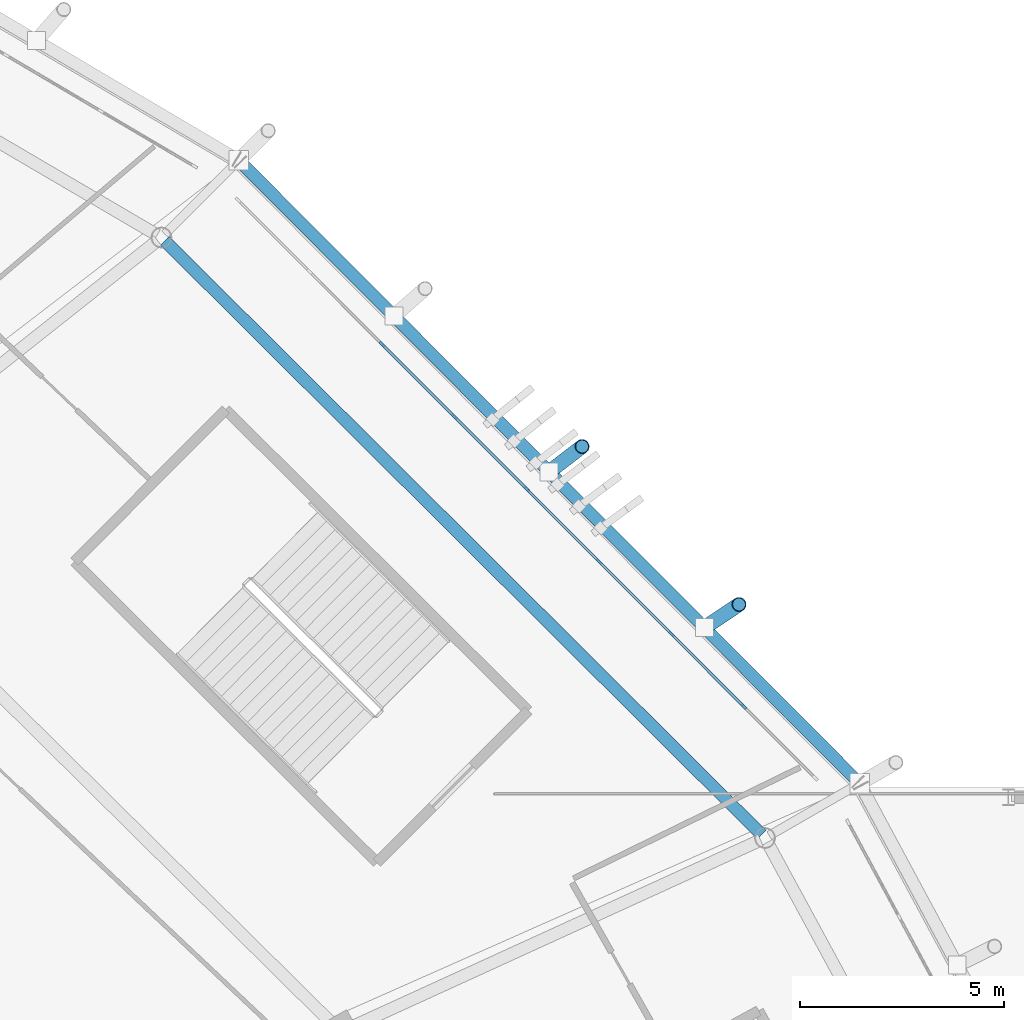
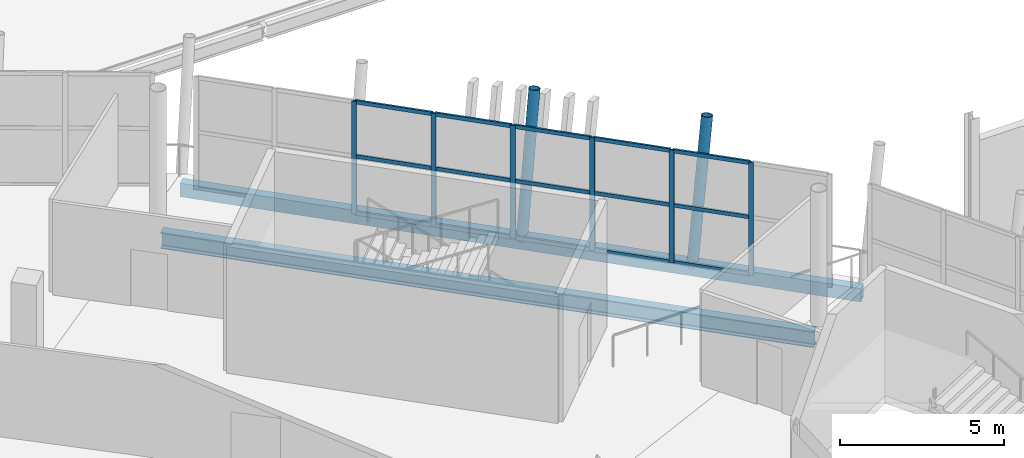
# One storey, part 64 of 179: 23 members, 2 beams, 1 element without a shape of its own.
"""IFC4 building model written with IfcOpenShell, lengths in metres."""

from ifc_helpers import new_model, si_unit, direction, frame, origin, origin_2d, place, context, subcontext, project, spatial, rectangle, hollow_rectangle, hollow_circle, i_section, extrude, material, material_profile, profile_set, type_object, element, aggregate, save


model = new_model("IFC4")

# Units and contexts
model_context = context("Model", 3, precision=1e-05, world=origin(), true_north=direction((0.0, 1.0)))
body_context = subcontext(model_context, "Body", "Model", "MODEL_VIEW")
ifc_project = project(units=[si_unit("LENGTHUNIT", "METRE"), si_unit("AREAUNIT", "SQUARE_METRE"), si_unit("VOLUMEUNIT", "CUBIC_METRE"), si_unit("PLANEANGLEUNIT", "RADIAN"), si_unit("MASSUNIT", "GRAM", prefix="KILO")], contexts=[model_context])

# Site, building, storey
site_placement = place(None, origin())
site = spatial("IfcSite", under=ifc_project, at=site_placement, CompositionType="ELEMENT")
building_placement = place(site_placement, origin())
building = spatial("IfcBuilding", under=site, at=building_placement, Name="Zlatoyarsky Gate Stadium", CompositionType="ELEMENT")
storey_placement = place(building_placement, frame((0.0, 0.0, 10.60009765625)))
storey = spatial("IfcBuildingStorey", under=building, at=storey_placement, Name="L02", CompositionType="ELEMENT", Elevation=10.60009765625)

# Curtain wall, members
ifc_material_1 = material(Name="Thermally broken anodised aluminium curtain wall", Category="aluminium")
curtain_wall_type = type_object("IfcCurtainWallType", Name="UNITISED HOSPITALITY GLAZING L02", PredefinedType="USERDEFINED", material=ifc_material_1)
curtain_wall_placement = place(storey_placement, origin())
curtain_wall = element("IfcCurtainWall", 1, at=curtain_wall_placement, inside=storey, type_object=curtain_wall_type, Name="Curtain wall CW-L02-02", ObjectType="UNITISED GLAZING", PredefinedType="USERDEFINED")
ifc_material_2 = material(Name="Anodised aluminium 6063-T6", Category="aluminium")
ifc_material_profile_1 = material_profile(ifc_material_2, rectangle(XDim=0.06494140625, YDim=0.159912109375, at=origin_2d()), Name="ALU 65X160")
ifc_profile_set_1 = profile_set([ifc_material_profile_1], Name="Anodised aluminium 6063-T6")
member_type_1 = type_object("IfcMemberType", Name="ALUMINIUM MULLION 65X160", PredefinedType="MULLION", material=ifc_profile_set_1)
member_1_placement = place(storey_placement, frame((191.020263671875, 118.72216796875, 0.0), z_axis=(0.0, 0.0, 1.0), x_axis=(-0.707587678066, -0.706625557031, 0.0)))
member_1 = element("IfcMember", 2, at=member_1_placement, type_object=member_type_1, Name="CW-UG2 mullion 2", PredefinedType="MULLION", context=body_context, shape_type="SweptSolid", body=[
    extrude(rectangle(XDim=0.06494140625, YDim=0.159912109375, at=origin_2d()), origin(), (0.0, 0.0, 1.0), 4.199951171875),
])
member_2_placement = place(storey_placement, frame((189.24853515625, 120.496337890625, 0.0), z_axis=(0.0, 0.0, 1.0), x_axis=(-0.707587678066, -0.706625557031, 0.0)))
member_2 = element("IfcMember", 3, at=member_2_placement, type_object=member_type_1, Name="CW-UG2 mullion 3", PredefinedType="MULLION", context=body_context, shape_type="SweptSolid", body=[
    extrude(rectangle(XDim=0.06494140625, YDim=0.159912109375, at=origin_2d()), origin(), (0.0, 0.0, 1.0), 4.199951171875),
])
member_3_placement = place(storey_placement, frame((187.4765625, 122.2705078125, 0.0), z_axis=(0.0, 0.0, 1.0), x_axis=(-0.707587678066, -0.706625557031, 0.0)))
member_3 = element("IfcMember", 4, at=member_3_placement, type_object=member_type_1, Name="CW-UG2 mullion 4", PredefinedType="MULLION", context=body_context, shape_type="SweptSolid", body=[
    extrude(rectangle(XDim=0.06494140625, YDim=0.159912109375, at=origin_2d()), origin(), (0.0, 0.0, 1.0), 4.199951171875),
])
member_4_placement = place(storey_placement, frame((185.704833984375, 124.044921875, 0.0), z_axis=(0.0, 0.0, 1.0), x_axis=(-0.707587678066, -0.706625557031, 0.0)))
member_4 = element("IfcMember", 5, at=member_4_placement, type_object=member_type_1, Name="CW-UG2 mullion 5", PredefinedType="MULLION", context=body_context, shape_type="SweptSolid", body=[
    extrude(rectangle(XDim=0.06494140625, YDim=0.159912109375, at=origin_2d()), origin(), (0.0, 0.0, 1.0), 4.199951171875),
])
member_5_placement = place(storey_placement, frame((183.932861328125, 125.819091796875, 0.0), z_axis=(0.0, 0.0, 1.0), x_axis=(-0.707587678066, -0.706625557031, 0.0)))
member_5 = element("IfcMember", 6, at=member_5_placement, type_object=member_type_1, Name="CW-UG2 mullion 6", PredefinedType="MULLION", context=body_context, shape_type="SweptSolid", body=[
    extrude(rectangle(XDim=0.06494140625, YDim=0.159912109375, at=origin_2d()), origin(), (0.0, 0.0, 1.0), 4.199951171875),
])
member_6_placement = place(storey_placement, frame((182.1611328125, 127.59326171875, 0.0), z_axis=(0.0, 0.0, 1.0), x_axis=(-0.707587678066, -0.706625557031, 0.0)))
member_6 = element("IfcMember", 7, at=member_6_placement, type_object=member_type_1, Name="CW-UG2 mullion 7", PredefinedType="MULLION", context=body_context, shape_type="SweptSolid", body=[
    extrude(rectangle(XDim=0.06494140625, YDim=0.159912109375, at=origin_2d()), origin(), (0.0, 0.0, 1.0), 4.199951171875),
])
ifc_material_profile_2 = material_profile(ifc_material_2, rectangle(XDim=0.06494140625, YDim=0.139892578125, at=origin_2d()), Name="ALU 65X140")
ifc_profile_set_2 = profile_set([ifc_material_profile_2], Name="Anodised aluminium 6063-T6")
member_type_2 = type_object("IfcMemberType", Name="ALUMINIUM TRANSOM 65X140", PredefinedType="USERDEFINED", material=ifc_profile_set_2)
member_7_placement = place(storey_placement, frame((190.997314453125, 118.7451171875, 0.032470703125), z_axis=(-0.706606811932, 0.707606397181, 0.0), x_axis=(-0.707606397181, -0.706606811932, 0.0)))
member_7 = element("IfcMember", 8, at=member_7_placement, type_object=member_type_2, Name="CW-UG2 transom 2.1", ObjectType="TRANSOM", PredefinedType="USERDEFINED", context=body_context, shape_type="SweptSolid", body=[
    extrude(rectangle(XDim=0.06494140625, YDim=0.139892578125, at=origin_2d()), origin(), (0.0, 0.0, 1.0), 2.4423828125),
])
member_8_placement = place(storey_placement, frame((190.997314453125, 118.7451171875, 2.14990234375), z_axis=(-0.706606811932, 0.707606397181, 0.0), x_axis=(-0.707606397181, -0.706606811932, 0.0)))
member_8 = element("IfcMember", 9, at=member_8_placement, type_object=member_type_2, Name="CW-UG2 transom 2.2", ObjectType="TRANSOM", PredefinedType="USERDEFINED", context=body_context, shape_type="SweptSolid", body=[
    extrude(rectangle(XDim=0.06494140625, YDim=0.139892578125, at=origin_2d()), origin(), (0.0, 0.0, 1.0), 2.4423828125),
])
member_9_placement = place(storey_placement, frame((190.997314453125, 118.7451171875, 4.16748046875), z_axis=(-0.706606811932, 0.707606397181, 0.0), x_axis=(-0.707606397181, -0.706606811932, 0.0)))
member_9 = element("IfcMember", 10, at=member_9_placement, type_object=member_type_2, Name="CW-UG2 transom 2.3", ObjectType="TRANSOM", PredefinedType="USERDEFINED", context=body_context, shape_type="SweptSolid", body=[
    extrude(rectangle(XDim=0.06494140625, YDim=0.139892578125, at=origin_2d()), origin(), (0.0, 0.0, 1.0), 2.4423828125),
])
member_10_placement = place(storey_placement, frame((189.2255859375, 120.519287109375, 0.032470703125), z_axis=(-0.706656856545, 0.707556419728, 0.0), x_axis=(-0.707556419728, -0.706656856545, 0.0)))
member_10 = element("IfcMember", 11, at=member_10_placement, type_object=member_type_2, Name="CW-UG2 transom 3.1", ObjectType="TRANSOM", PredefinedType="USERDEFINED", context=body_context, shape_type="SweptSolid", body=[
    extrude(rectangle(XDim=0.06494140625, YDim=0.139892578125, at=origin_2d()), origin(), (0.0, 0.0, 1.0), 2.442626953125),
])
member_11_placement = place(storey_placement, frame((189.2255859375, 120.519287109375, 2.14990234375), z_axis=(-0.706656856545, 0.707556419728, 0.0), x_axis=(-0.707556419728, -0.706656856545, 0.0)))
member_11 = element("IfcMember", 12, at=member_11_placement, type_object=member_type_2, Name="CW-UG2 transom 3.2", ObjectType="TRANSOM", PredefinedType="USERDEFINED", context=body_context, shape_type="SweptSolid", body=[
    extrude(rectangle(XDim=0.06494140625, YDim=0.139892578125, at=origin_2d()), origin(), (0.0, 0.0, 1.0), 2.442626953125),
])
member_12_placement = place(storey_placement, frame((189.2255859375, 120.519287109375, 4.16748046875), z_axis=(-0.706656856545, 0.707556419728, 0.0), x_axis=(-0.707556419728, -0.706656856545, 0.0)))
member_12 = element("IfcMember", 13, at=member_12_placement, type_object=member_type_2, Name="CW-UG2 transom 3.3", ObjectType="TRANSOM", PredefinedType="USERDEFINED", context=body_context, shape_type="SweptSolid", body=[
    extrude(rectangle(XDim=0.06494140625, YDim=0.139892578125, at=origin_2d()), origin(), (0.0, 0.0, 1.0), 2.442626953125),
])
member_13_placement = place(storey_placement, frame((187.45361328125, 122.293701171875, 0.032470703125), z_axis=(-0.706606811932, 0.707606397181, 0.0), x_axis=(-0.707606397181, -0.706606811932, 0.0)))
member_13 = element("IfcMember", 14, at=member_13_placement, type_object=member_type_2, Name="CW-UG2 transom 4.1", ObjectType="TRANSOM", PredefinedType="USERDEFINED", context=body_context, shape_type="SweptSolid", body=[
    extrude(rectangle(XDim=0.06494140625, YDim=0.139892578125, at=origin_2d()), origin(), (0.0, 0.0, 1.0), 2.4423828125),
])
member_14_placement = place(storey_placement, frame((187.45361328125, 122.293701171875, 2.14990234375), z_axis=(-0.706606811932, 0.707606397181, 0.0), x_axis=(-0.707606397181, -0.706606811932, 0.0)))
member_14 = element("IfcMember", 15, at=member_14_placement, type_object=member_type_2, Name="CW-UG2 transom 4.2", ObjectType="TRANSOM", PredefinedType="USERDEFINED", context=body_context, shape_type="SweptSolid", body=[
    extrude(rectangle(XDim=0.06494140625, YDim=0.139892578125, at=origin_2d()), origin(), (0.0, 0.0, 1.0), 2.4423828125),
])
member_15_placement = place(storey_placement, frame((187.45361328125, 122.293701171875, 4.16748046875), z_axis=(-0.706606811932, 0.707606397181, 0.0), x_axis=(-0.707606397181, -0.706606811932, 0.0)))
member_15 = element("IfcMember", 16, at=member_15_placement, type_object=member_type_2, Name="CW-UG2 transom 4.3", ObjectType="TRANSOM", PredefinedType="USERDEFINED", context=body_context, shape_type="SweptSolid", body=[
    extrude(rectangle(XDim=0.06494140625, YDim=0.139892578125, at=origin_2d()), origin(), (0.0, 0.0, 1.0), 2.4423828125),
])
member_16_placement = place(storey_placement, frame((185.681884765625, 124.06787109375, 0.032470703125), z_axis=(-0.706656856545, 0.707556419728, 0.0), x_axis=(-0.707556419728, -0.706656856545, 0.0)))
member_16 = element("IfcMember", 17, at=member_16_placement, type_object=member_type_2, Name="CW-UG2 transom 5.1", ObjectType="TRANSOM", PredefinedType="USERDEFINED", context=body_context, shape_type="SweptSolid", body=[
    extrude(rectangle(XDim=0.06494140625, YDim=0.139892578125, at=origin_2d()), origin(), (0.0, 0.0, 1.0), 2.442626953125),
])
member_17_placement = place(storey_placement, frame((185.681884765625, 124.06787109375, 2.14990234375), z_axis=(-0.706656856545, 0.707556419728, 0.0), x_axis=(-0.707556419728, -0.706656856545, 0.0)))
member_17 = element("IfcMember", 18, at=member_17_placement, type_object=member_type_2, Name="CW-UG2 transom 5.2", ObjectType="TRANSOM", PredefinedType="USERDEFINED", context=body_context, shape_type="SweptSolid", body=[
    extrude(rectangle(XDim=0.06494140625, YDim=0.139892578125, at=origin_2d()), origin(), (0.0, 0.0, 1.0), 2.442626953125),
])
member_18_placement = place(storey_placement, frame((185.681884765625, 124.06787109375, 4.16748046875), z_axis=(-0.706656856545, 0.707556419728, 0.0), x_axis=(-0.707556419728, -0.706656856545, 0.0)))
member_18 = element("IfcMember", 19, at=member_18_placement, type_object=member_type_2, Name="CW-UG2 transom 5.3", ObjectType="TRANSOM", PredefinedType="USERDEFINED", context=body_context, shape_type="SweptSolid", body=[
    extrude(rectangle(XDim=0.06494140625, YDim=0.139892578125, at=origin_2d()), origin(), (0.0, 0.0, 1.0), 2.442626953125),
])
member_19_placement = place(storey_placement, frame((183.909912109375, 125.842041015625, 0.032470703125), z_axis=(-0.706606811932, 0.707606397181, 0.0), x_axis=(-0.707606397181, -0.706606811932, 0.0)))
member_19 = element("IfcMember", 20, at=member_19_placement, type_object=member_type_2, Name="CW-UG2 transom 6.1", ObjectType="TRANSOM", PredefinedType="USERDEFINED", context=body_context, shape_type="SweptSolid", body=[
    extrude(rectangle(XDim=0.06494140625, YDim=0.139892578125, at=origin_2d()), origin(), (0.0, 0.0, 1.0), 2.4423828125),
])
member_20_placement = place(storey_placement, frame((183.909912109375, 125.842041015625, 2.14990234375), z_axis=(-0.706606811932, 0.707606397181, 0.0), x_axis=(-0.707606397181, -0.706606811932, 0.0)))
member_20 = element("IfcMember", 21, at=member_20_placement, type_object=member_type_2, Name="CW-UG2 transom 6.2", ObjectType="TRANSOM", PredefinedType="USERDEFINED", context=body_context, shape_type="SweptSolid", body=[
    extrude(rectangle(XDim=0.06494140625, YDim=0.139892578125, at=origin_2d()), origin(), (0.0, 0.0, 1.0), 2.4423828125),
])
member_21_placement = place(storey_placement, frame((183.909912109375, 125.842041015625, 4.16748046875), z_axis=(-0.706606811932, 0.707606397181, 0.0), x_axis=(-0.707606397181, -0.706606811932, 0.0)))
member_21 = element("IfcMember", 22, at=member_21_placement, type_object=member_type_2, Name="CW-UG2 transom 6.3", ObjectType="TRANSOM", PredefinedType="USERDEFINED", context=body_context, shape_type="SweptSolid", body=[
    extrude(rectangle(XDim=0.06494140625, YDim=0.139892578125, at=origin_2d()), origin(), (0.0, 0.0, 1.0), 2.4423828125),
])
aggregate(curtain_wall, [member_1, member_2, member_3, member_4, member_5, member_6, member_7, member_8, member_9, member_10, member_11, member_12, member_13, member_14, member_15, member_16, member_17, member_18, member_19, member_20, member_21])

# Members
ifc_material_3 = material(Name="Steel S355", Category="steel")
ifc_material_profile_3 = material_profile(ifc_material_3, hollow_circle(Radius=0.177734375, WallThickness=0.02001953125, at=origin_2d()), Name="CHS 355.6X20")
ifc_profile_set_3 = profile_set([ifc_material_profile_3], Name="Steel S355")
member_type_3 = type_object("IfcMemberType", Name="STEEL LEANING RIB RING STRUT CHS 355.6X20", PredefinedType="STRUT", material=ifc_profile_set_3)
member_22_placement = place(storey_placement, frame((190.056640625, 120.652587890625, -0.530029296875), z_axis=(0.166206497917, 0.110995703848, 0.979824144312), x_axis=(-0.555362920217, 0.831608096911, 0.0)))
element("IfcMember", 23, at=member_22_placement, inside=storey, type_object=member_type_3, Name="Outward-leaning bowl louvre fin rib L02 02-1", PredefinedType="STRUT", context=body_context, shape_type="SweptSolid", body=[
    extrude(hollow_circle(Radius=0.177734375, WallThickness=0.02001953125, at=origin_2d()), origin(), (0.0, 0.0, 1.0), 5.10302734375),
])
member_23_placement = place(storey_placement, frame((186.25537109375, 124.46728515625, -0.530029296875), z_axis=(0.158230929664, 0.121388529954, 0.979912137742), x_axis=(-0.608678318392, 0.793417106394, 0.0)))
element("IfcMember", 24, at=member_23_placement, inside=storey, type_object=member_type_3, Name="Outward-leaning bowl louvre fin rib L02 02-2", PredefinedType="STRUT", context=body_context, shape_type="SweptSolid", body=[
    extrude(hollow_circle(Radius=0.177734375, WallThickness=0.02001953125, at=origin_2d()), origin(), (0.0, 0.0, 1.0), 5.1025390625),
])

# Beams
ifc_material_profile_4 = material_profile(ifc_material_3, hollow_rectangle(XDim=0.300048828125, YDim=0.5, WallThickness=0.02001953125, at=origin_2d()), Name="RHS 500X300X20")
ifc_profile_set_4 = profile_set([ifc_material_profile_4], Name="Steel S355")
beam_type_1 = type_object("IfcBeamType", Name="STEEL LOUVRE CARRIER SPANDREL RHS 500X300X20", PredefinedType="SPANDREL", material=ifc_profile_set_4)
beam_1_placement = place(storey_placement, frame((193.84375, 116.85205078125, -0.530029296875), z_axis=(-0.7058509581, 0.708360377879, 0.0), x_axis=(-0.708360377879, -0.7058509581, 0.0)))
element("IfcBeam", 25, at=beam_1_placement, inside=storey, type_object=beam_type_1, Name="Beam SP-RHS500 BM-L02-SPD-02", PredefinedType="SPANDREL", context=body_context, shape_type="SweptSolid", body=[
    extrude(hollow_rectangle(XDim=0.300048828125, YDim=0.5, WallThickness=0.02001953125, at=origin_2d()), origin(), (0.0, 0.0, 1.0), 21.5009765625),
])
ifc_material_profile_5 = material_profile(ifc_material_3, i_section(OverallWidth=0.300048828125, OverallDepth=0.60009765625, WebThickness=0.015380859375, FlangeThickness=0.030029296875, FilletRadius=0.027099609375, at=origin_2d()), Name="HEB 600")
ifc_profile_set_5 = profile_set([ifc_material_profile_5], Name="Steel S355")
beam_type_2 = type_object("IfcBeamType", Name="STEEL PRIMARY GIRDER HEB 600", PredefinedType="BEAM", material=ifc_profile_set_5)
beam_2_placement = place(storey_placement, frame((191.455322265625, 115.584716796875, -0.580078125), z_axis=(-0.708899260134, 0.705309746835, 0.0), x_axis=(-0.705309746835, -0.708899260134, 0.0)))
element("IfcBeam", 26, at=beam_2_placement, inside=storey, type_object=beam_type_2, Name="Beam G-HEB600 BM-L02-CRC-02", PredefinedType="BEAM", context=body_context, shape_type="SweptSolid", body=[
    extrude(i_section(OverallWidth=0.300048828125, OverallDepth=0.60009765625, WebThickness=0.015380859375, FlangeThickness=0.030029296875, FilletRadius=0.027099609375, at=origin_2d()), origin(), (0.0, 0.0, 1.0), 20.608642578125),
])

save(model, "model.ifc")
